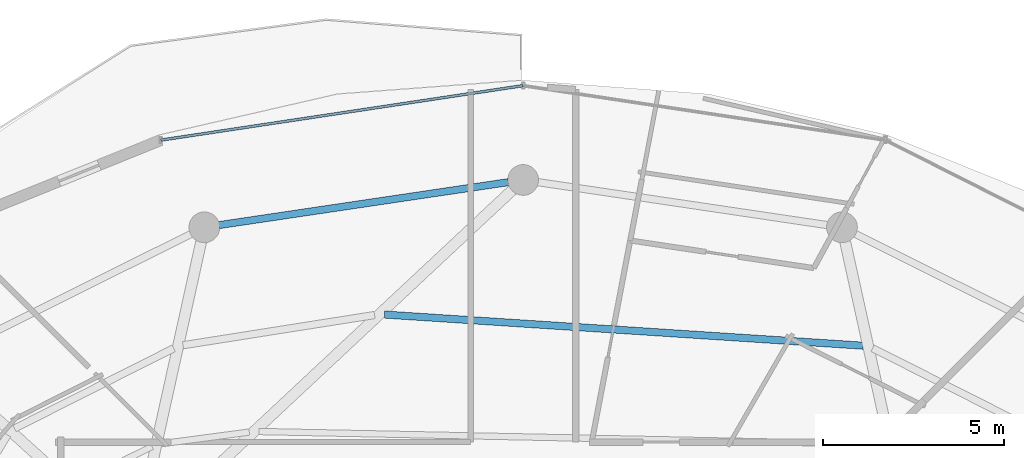
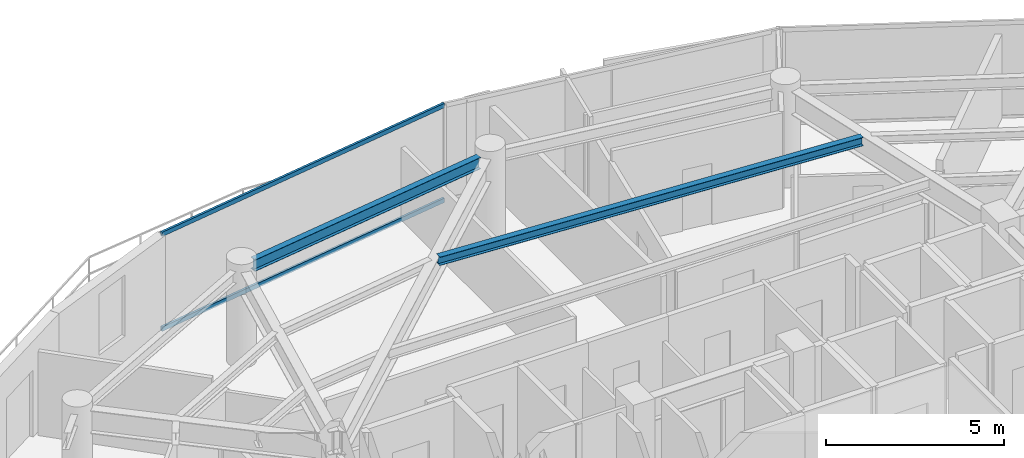
# One storey, part 17 of 29: 2 beams, 2 members, 1 element without a shape of its own.
"""IFC4 building model written with IfcOpenShell, lengths in metres."""

from ifc_helpers import new_model, si_unit, direction, frame, origin, origin_2d, place, context, subcontext, project, spatial, hollow_rectangle, i_section, extrude, material, material_profile, profile_set, type_object, element, aggregate, save


model = new_model("IFC4")

# Units and contexts
model_context = context("Model", 3, precision=1e-05, world=origin(), true_north=direction((0.0, 1.0)))
body_context = subcontext(model_context, "Body", "Model", "MODEL_VIEW")
ifc_project = project(units=[si_unit("LENGTHUNIT", "METRE"), si_unit("AREAUNIT", "SQUARE_METRE"), si_unit("VOLUMEUNIT", "CUBIC_METRE"), si_unit("PLANEANGLEUNIT", "RADIAN"), si_unit("MASSUNIT", "GRAM", prefix="KILO")], contexts=[model_context])

# Site, building, storey
site_placement = place(None, origin())
site = spatial("IfcSite", under=ifc_project, at=site_placement, CompositionType="ELEMENT")
building_placement = place(site_placement, origin())
building = spatial("IfcBuilding", under=site, at=building_placement, Name="Vorneva Point Tower", CompositionType="ELEMENT")
storey_placement = place(building_placement, frame((0.0, 0.0, 273.300048828125)))
storey = spatial("IfcBuildingStorey", under=building, at=storey_placement, Name="L74", CompositionType="ELEMENT", Elevation=273.300048828125)

# Beams
ifc_material_1 = material(Name="Steel S355", Category="steel")
ifc_material_profile_1 = material_profile(ifc_material_1, i_section(OverallWidth=0.199951171875, OverallDepth=0.291015625, WebThickness=0.008056640625, FlangeThickness=0.010986328125, at=origin_2d()), Name="30Sh1")
ifc_profile_set_1 = profile_set([ifc_material_profile_1], Name="Steel S355")
beam_type_1 = type_object("IfcBeamType", Name="BM-SEC-30Sh1", PredefinedType="BEAM", material=ifc_profile_set_1)
beam_1_placement = place(storey_placement, frame((47.408203125, 38.614501953125, 3.14453125), z_axis=(-0.997889548282, 0.064934193066, 0.0), x_axis=(-0.064934193066, -0.997889548282, 0.0)))
element("IfcBeam", 1, at=beam_1_placement, inside=storey, type_object=beam_type_1, Name="L74 Secondary Floor Beam 1.04", PredefinedType="BEAM", context=body_context, shape_type="SweptSolid", body=[
    extrude(i_section(OverallWidth=0.199951171875, OverallDepth=0.291015625, WebThickness=0.008056640625, FlangeThickness=0.010986328125, at=origin_2d()), origin(), (0.0, 0.0, 1.0), 13.272216796875),
])
ifc_material_profile_2 = material_profile(ifc_material_1, i_section(OverallWidth=0.198974609375, OverallDepth=0.39599609375, WebThickness=0.007080078125, FlangeThickness=0.010986328125, at=origin_2d()), Name="40B1")
ifc_profile_set_2 = profile_set([ifc_material_profile_2], Name="Steel S355")
beam_type_2 = type_object("IfcBeamType", Name="BM-SPN-40B1", PredefinedType="SPANDREL", material=ifc_profile_set_2)
beam_2_placement = place(storey_placement, frame((37.594482421875, 43.139892578125, 3.092041015625), z_axis=(-0.989161657331, -0.146830567886, 0.0), x_axis=(0.146830567886, -0.989161657331, 0.0)))
element("IfcBeam", 2, at=beam_2_placement, inside=storey, type_object=beam_type_2, Name="L74 Perimeter Spandrel Ring Beam 05", PredefinedType="SPANDREL", context=body_context, shape_type="SweptSolid", body=[
    extrude(i_section(OverallWidth=0.198974609375, OverallDepth=0.39599609375, WebThickness=0.007080078125, FlangeThickness=0.010986328125, at=origin_2d()), origin(), (0.0, 0.0, 1.0), 8.097412109375),
])

# Curtain wall, members
ifc_material_2 = material(Name="Pale anodised aluminium", Category="aluminium")
curtain_wall_type = type_object("IfcCurtainWallType", Name="CW-RES-SYS", PredefinedType="NOTDEFINED", material=ifc_material_2)
curtain_wall_placement = place(storey_placement, origin())
curtain_wall = element("IfcCurtainWall", 3, at=curtain_wall_placement, inside=storey, type_object=curtain_wall_type, Name="L74 Unitised Curtain Wall CW-L74-R02", PredefinedType="NOTDEFINED")
ifc_material_profile_3 = material_profile(ifc_material_2, hollow_rectangle(XDim=0.074951171875, YDim=0.14990234375, WallThickness=0.00390625, at=origin_2d()), Name="AL-TRN 150x75x4")
ifc_profile_set_3 = profile_set([ifc_material_profile_3], Name="Pale anodised aluminium")
member_type = type_object("IfcMemberType", Name="CW-TRN-150", PredefinedType="USERDEFINED", material=ifc_profile_set_3)
member_1_placement = place(storey_placement, frame((38.0, 45.81005859375, 0.02001953125), z_axis=(-0.988876929856, -0.148736066907, 0.0), x_axis=(0.148736066907, -0.988876929856, 0.0)))
member_1 = element("IfcMember", 4, at=member_1_placement, type_object=member_type, Name="CW-L74-R02 Transom 03.1", ObjectType="TRANSOM", PredefinedType="USERDEFINED", context=body_context, shape_type="SweptSolid", body=[
    extrude(hollow_rectangle(XDim=0.074951171875, YDim=0.14990234375, WallThickness=0.00390625, at=origin_2d()), origin(), (0.0, 0.0, 1.0), 10.13916015625),
])
member_2_placement = place(storey_placement, frame((38.0, 45.81005859375, 3.27001953125), z_axis=(-0.988876929856, -0.148736066907, 0.0), x_axis=(0.148736066907, -0.988876929856, 0.0)))
member_2 = element("IfcMember", 5, at=member_2_placement, type_object=member_type, Name="CW-L74-R02 Transom 03.2", ObjectType="TRANSOM", PredefinedType="USERDEFINED", context=body_context, shape_type="SweptSolid", body=[
    extrude(hollow_rectangle(XDim=0.074951171875, YDim=0.14990234375, WallThickness=0.00390625, at=origin_2d()), origin(), (0.0, 0.0, 1.0), 10.13916015625),
])
aggregate(curtain_wall, [member_1, member_2])

save(model, "model.ifc")
